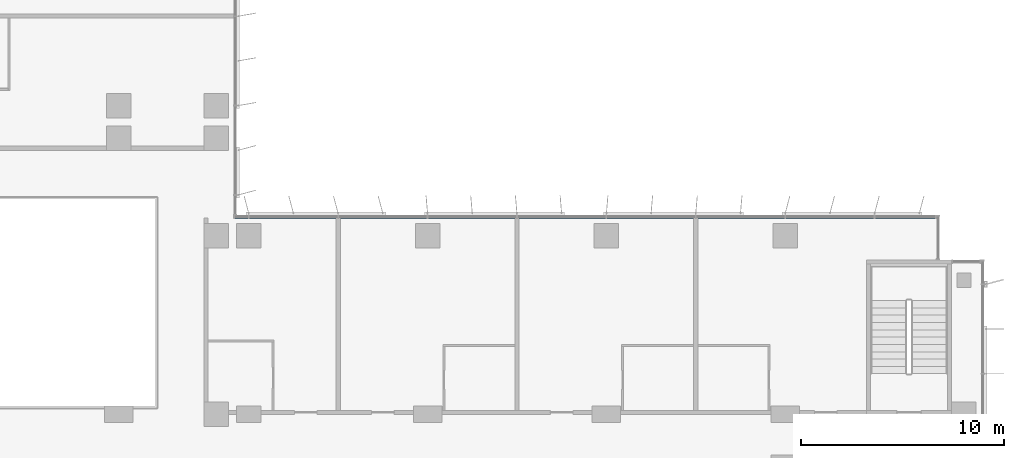
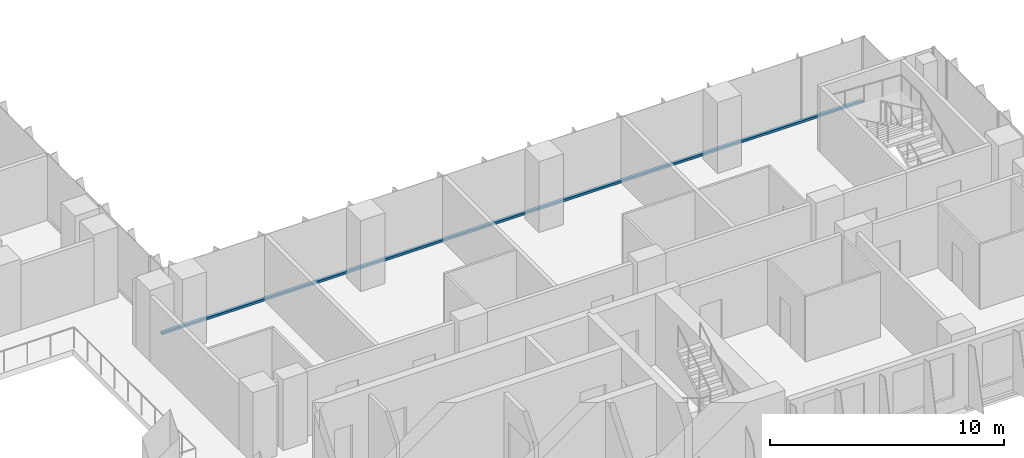
# One storey, part 3 of 22: 1 member, 1 element without a shape of its own.
"""IFC4 building model written with IfcOpenShell, lengths in metres."""

from ifc_helpers import new_model, si_unit, direction, frame, origin, origin_2d, place, context, subcontext, project, spatial, rectangle, extrude, material, material_profile, profile_set, type_object, element, aggregate, save


model = new_model("IFC4")

# Units and contexts
model_context = context("Model", 3, precision=1e-05, world=origin(), true_north=direction((0.0, 1.0)))
body_context = subcontext(model_context, "Body", "Model", "MODEL_VIEW")
ifc_project = project(units=[si_unit("LENGTHUNIT", "METRE"), si_unit("AREAUNIT", "SQUARE_METRE"), si_unit("VOLUMEUNIT", "CUBIC_METRE"), si_unit("PLANEANGLEUNIT", "RADIAN"), si_unit("MASSUNIT", "GRAM", prefix="KILO")], contexts=[model_context])

# Site, building, storey
site_placement = place(None, origin())
site = spatial("IfcSite", under=ifc_project, at=site_placement, CompositionType="ELEMENT")
building_placement = place(site_placement, origin())
building = spatial("IfcBuilding", under=site, at=building_placement, Name="Kemantara Hotel Tower", CompositionType="ELEMENT")
storey_placement = place(building_placement, frame((0.0, 0.0, 122.199951171875)))
storey = spatial("IfcBuildingStorey", under=building, at=storey_placement, Name="L29", CompositionType="ELEMENT", Elevation=122.199951171875)

# Curtain wall, member
ifc_material_1 = material(Name="Low-E tinted double insulated glass 36 mm", Category="glass")
curtain_wall_type = type_object("IfcCurtainWallType", Name="TOWER CURTAIN WALL, FRONT FACES", PredefinedType="USERDEFINED", material=ifc_material_1)
curtain_wall_placement = place(storey_placement, origin())
curtain_wall = element("IfcCurtainWall", 1, at=curtain_wall_placement, inside=storey, type_object=curtain_wall_type, Name="CW4 L29 T2-R13-1", ObjectType="TOWER CURTAIN WALL, FRONT FACES", PredefinedType="USERDEFINED")
ifc_material_2 = material(Name="Aluminium 6063-T6 bronze anodised", Category="aluminium")
ifc_material_profile = material_profile(ifc_material_2, rectangle(XDim=0.14990234375, YDim=0.1201171875, at=origin_2d()), Name="TOWER CURTAIN WALL, FRONT FACES TRANSOM")
ifc_profile_set = profile_set([ifc_material_profile], Name="Aluminium 6063-T6 bronze anodised")
member_type = type_object("IfcMemberType", Name="TOWER CURTAIN WALL, FRONT FACES TRANSOM", PredefinedType="USERDEFINED", material=ifc_profile_set)
member_placement = place(storey_placement, frame((61.25, 21.925048828125, 0.06005859375), z_axis=(-1.0, 0.0, 0.0), x_axis=(0.0, -1.0, 0.0)))
member = element("IfcMember", 2, at=member_placement, type_object=member_type, Name="CW4 sill transom T2-R13-1", ObjectType="TRANSOM", PredefinedType="USERDEFINED", context=body_context, shape_type="SweptSolid", body=[
    extrude(rectangle(XDim=0.14990234375, YDim=0.1201171875, at=origin_2d()), origin(), (0.0, 0.0, 1.0), 34.60009765625),
])
aggregate(curtain_wall, [member])

save(model, "model.ifc")
